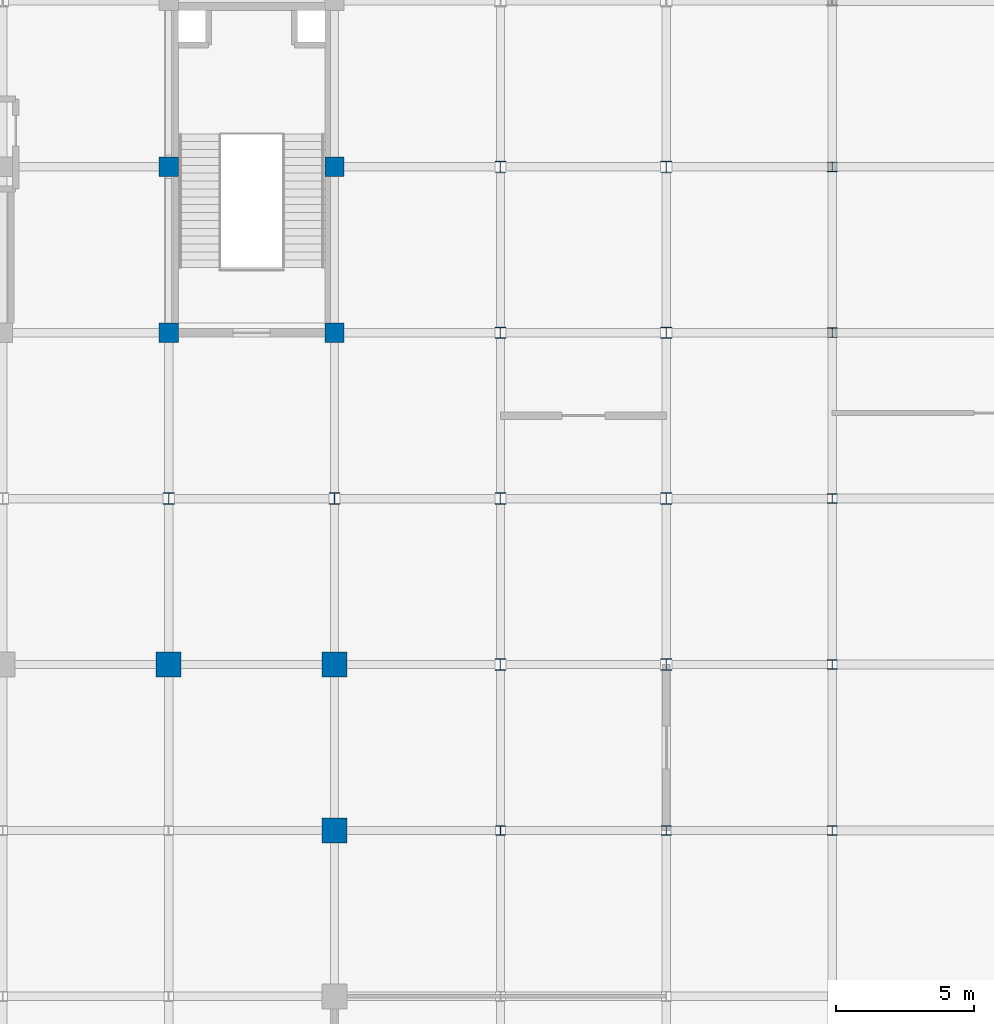
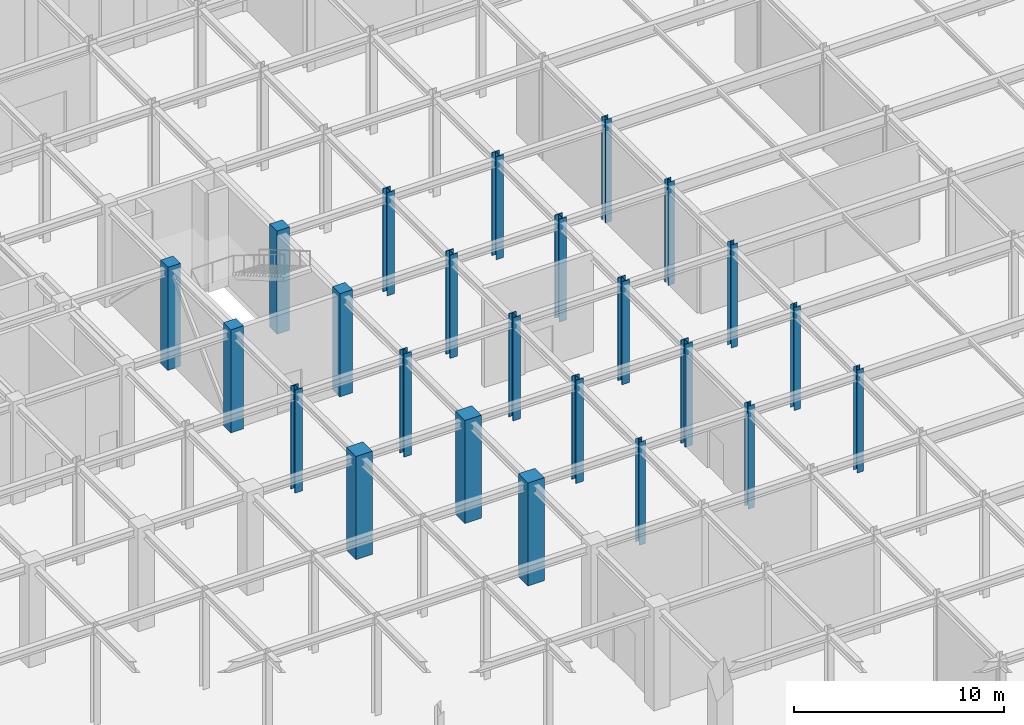
# One storey, part 18 of 51: 24 columns.
"""IFC4 building model written with IfcOpenShell, lengths in metres."""

from ifc_helpers import new_model, si_unit, direction, frame, origin, origin_2d, place, context, subcontext, project, spatial, rectangle, i_section, extrude, material, material_profile, profile_set, type_object, element, save


model = new_model("IFC4")

# Units and contexts
model_context = context("Model", 3, precision=1e-05, world=origin(), true_north=direction((0.0, 1.0)))
body_context = subcontext(model_context, "Body", "Model", "MODEL_VIEW")
ifc_project = project(units=[si_unit("LENGTHUNIT", "METRE"), si_unit("AREAUNIT", "SQUARE_METRE"), si_unit("VOLUMEUNIT", "CUBIC_METRE"), si_unit("PLANEANGLEUNIT", "RADIAN"), si_unit("MASSUNIT", "GRAM", prefix="KILO")], contexts=[model_context])

# Site, building, storey
site_placement = place(None, origin())
site = spatial("IfcSite", under=ifc_project, at=site_placement, CompositionType="ELEMENT")
building_placement = place(site_placement, origin())
building = spatial("IfcBuilding", under=site, at=building_placement, Name="Zlatovratsky Civic Hall", CompositionType="ELEMENT")
storey_placement = place(building_placement, origin())
storey = spatial("IfcBuildingStorey", under=building, at=storey_placement, Name="L01", CompositionType="ELEMENT", Elevation=0.0)

# Columns
ifc_material_1 = material(Name="Concrete C35/45 (B40)", Category="concrete")
ifc_material_profile_1 = material_profile(ifc_material_1, rectangle(XDim=0.89990234375, YDim=0.89990234375, at=origin_2d()), Name="RC 900x900")
ifc_profile_set_1 = profile_set([ifc_material_profile_1], Name="Concrete C35/45 (B40)")
column_type_1 = type_object("IfcColumnType", Name="Col_ChamberPier_RC900", PredefinedType="COLUMN", material=ifc_profile_set_1)
for number, where, z_axis, x_axis, name in (
    (1, (102.0, 66.0, 0.0), (0.0, 0.0, 1.0), (1.0, 0.0, 0.0), "CL-0629"),
    (2, (96.0, 72.0, 0.0), (0.0, 0.0, 1.0), (1.0, 0.0, 0.0), "CL-0651"),
    (3, (102.0, 72.0, 0.0), (0.0, 0.0, 1.0), (1.0, 0.0, 0.0), "CL-0652"),
):
    element("IfcColumn", number, at=place(storey_placement, frame(where, z_axis=z_axis, x_axis=x_axis)), inside=storey, type_object=column_type_1, Name=name, PredefinedType="COLUMN", context=body_context, shape_type="SweptSolid", body=[
        extrude(rectangle(XDim=0.89990234375, YDim=0.89990234375, at=origin_2d()), origin(), (0.0, 0.0, 1.0), 6.0),
    ])
ifc_material_profile_2 = material_profile(ifc_material_1, rectangle(XDim=0.699951171875, YDim=0.699951171875, at=origin_2d()), Name="RC 700x700")
ifc_profile_set_2 = profile_set([ifc_material_profile_2], Name="Concrete C35/45 (B40)")
column_type_2 = type_object("IfcColumnType", Name="Col_CorePier_RC700", PredefinedType="COLUMN", material=ifc_profile_set_2)
for number, where, z_axis, x_axis, name in (
    (4, (96.0, 84.0, 0.0), (0.0, 0.0, 1.0), (1.0, 0.0, 0.0), "CL-0697"),
    (5, (102.0, 84.0, 0.0), (0.0, 0.0, 1.0), (1.0, 0.0, 0.0), "CL-0698"),
    (6, (96.0, 90.0, 0.0), (0.0, 0.0, 1.0), (1.0, 0.0, 0.0), "CL-0720"),
    (7, (102.0, 90.0, 0.0), (0.0, 0.0, 1.0), (1.0, 0.0, 0.0), "CL-0721"),
):
    element("IfcColumn", number, at=place(storey_placement, frame(where, z_axis=z_axis, x_axis=x_axis)), inside=storey, type_object=column_type_2, Name=name, PredefinedType="COLUMN", context=body_context, shape_type="SweptSolid", body=[
        extrude(rectangle(XDim=0.699951171875, YDim=0.699951171875, at=origin_2d()), origin(), (0.0, 0.0, 1.0), 6.0),
    ])
ifc_material_2 = material(Name="Steel S355", Category="steel")
ifc_material_profile_3 = material_profile(ifc_material_2, i_section(OverallWidth=0.35009765625, OverallDepth=0.343017578125, WebThickness=0.010009765625, FlangeThickness=0.014892578125, FilletRadius=0.02001953125, at=origin_2d()), Name="35K1")
ifc_profile_set_3 = profile_set([ifc_material_profile_3], Name="Steel S355")
column_type_3 = type_object("IfcColumnType", Name="Col_Steel_35K1", PredefinedType="COLUMN", material=ifc_profile_set_3)
for number, where, z_axis, x_axis, name in (
    (8, (108.0, 66.0, 0.0), (0.0, 0.0, 1.0), (1.0, 0.0, 0.0), "CL-0630"),
    (9, (114.0, 66.0, 0.0), (0.0, 0.0, 1.0), (1.0, 0.0, 0.0), "CL-0631"),
    (10, (120.0, 66.0, 0.0), (0.0, 0.0, 1.0), (1.0, 0.0, 0.0), "CL-0632"),
    (11, (120.0, 72.0, 0.0), (0.0, 0.0, 1.0), (1.0, 0.0, 0.0), "CL-0655"),
    (12, (120.0, 78.0, 0.0), (0.0, 0.0, 1.0), (1.0, 0.0, 0.0), "CL-0678"),
    (13, (120.0, 84.0, 0.0), (0.0, 0.0, 1.0), (1.0, 0.0, 0.0), "CL-0701"),
    (14, (120.0, 90.0, 0.0), (0.0, 0.0, 1.0), (1.0, 0.0, 0.0), "CL-0724"),
):
    element("IfcColumn", number, at=place(storey_placement, frame(where, z_axis=z_axis, x_axis=x_axis)), inside=storey, type_object=column_type_3, Name=name, PredefinedType="COLUMN", context=body_context, shape_type="SweptSolid", body=[
        extrude(i_section(OverallWidth=0.35009765625, OverallDepth=0.343017578125, WebThickness=0.010009765625, FlangeThickness=0.014892578125, FilletRadius=0.02001953125, at=origin_2d()), origin(), (0.0, 0.0, 1.0), 6.0),
    ])
ifc_material_profile_4 = material_profile(ifc_material_2, i_section(OverallWidth=0.408935546875, OverallDepth=0.428955078125, WebThickness=0.02392578125, FlangeThickness=0.035400390625, FilletRadius=0.02197265625, at=origin_2d()), Name="40K5")
ifc_profile_set_4 = profile_set([ifc_material_profile_4], Name="Steel S355")
column_type_4 = type_object("IfcColumnType", Name="Col_Steel_40K5", PredefinedType="COLUMN", material=ifc_profile_set_4)
for number, where, z_axis, x_axis, name in (
    (15, (108.0, 72.0, 0.0), (0.0, 0.0, 1.0), (1.0, 0.0, 0.0), "CL-0653"),
    (16, (114.0, 72.0, 0.0), (0.0, 0.0, 1.0), (1.0, 0.0, 0.0), "CL-0654"),
    (17, (96.0, 78.0, 0.0), (0.0, 0.0, 1.0), (1.0, 0.0, 0.0), "CL-0674"),
    (18, (102.0, 78.0, 0.0), (0.0, 0.0, 1.0), (1.0, 0.0, 0.0), "CL-0675"),
    (19, (108.0, 78.0, 0.0), (0.0, 0.0, 1.0), (1.0, 0.0, 0.0), "CL-0676"),
    (20, (114.0, 78.0, 0.0), (0.0, 0.0, 1.0), (1.0, 0.0, 0.0), "CL-0677"),
    (21, (108.0, 84.0, 0.0), (0.0, 0.0, 1.0), (1.0, 0.0, 0.0), "CL-0699"),
    (22, (114.0, 84.0, 0.0), (0.0, 0.0, 1.0), (1.0, 0.0, 0.0), "CL-0700"),
    (23, (108.0, 90.0, 0.0), (0.0, 0.0, 1.0), (1.0, 0.0, 0.0), "CL-0722"),
    (24, (114.0, 90.0, 0.0), (0.0, 0.0, 1.0), (1.0, 0.0, 0.0), "CL-0723"),
):
    element("IfcColumn", number, at=place(storey_placement, frame(where, z_axis=z_axis, x_axis=x_axis)), inside=storey, type_object=column_type_4, Name=name, PredefinedType="COLUMN", context=body_context, shape_type="SweptSolid", body=[
        extrude(i_section(OverallWidth=0.408935546875, OverallDepth=0.428955078125, WebThickness=0.02392578125, FlangeThickness=0.035400390625, FilletRadius=0.02197265625, at=origin_2d()), origin(), (0.0, 0.0, 1.0), 6.0),
    ])

save(model, "model.ifc")
